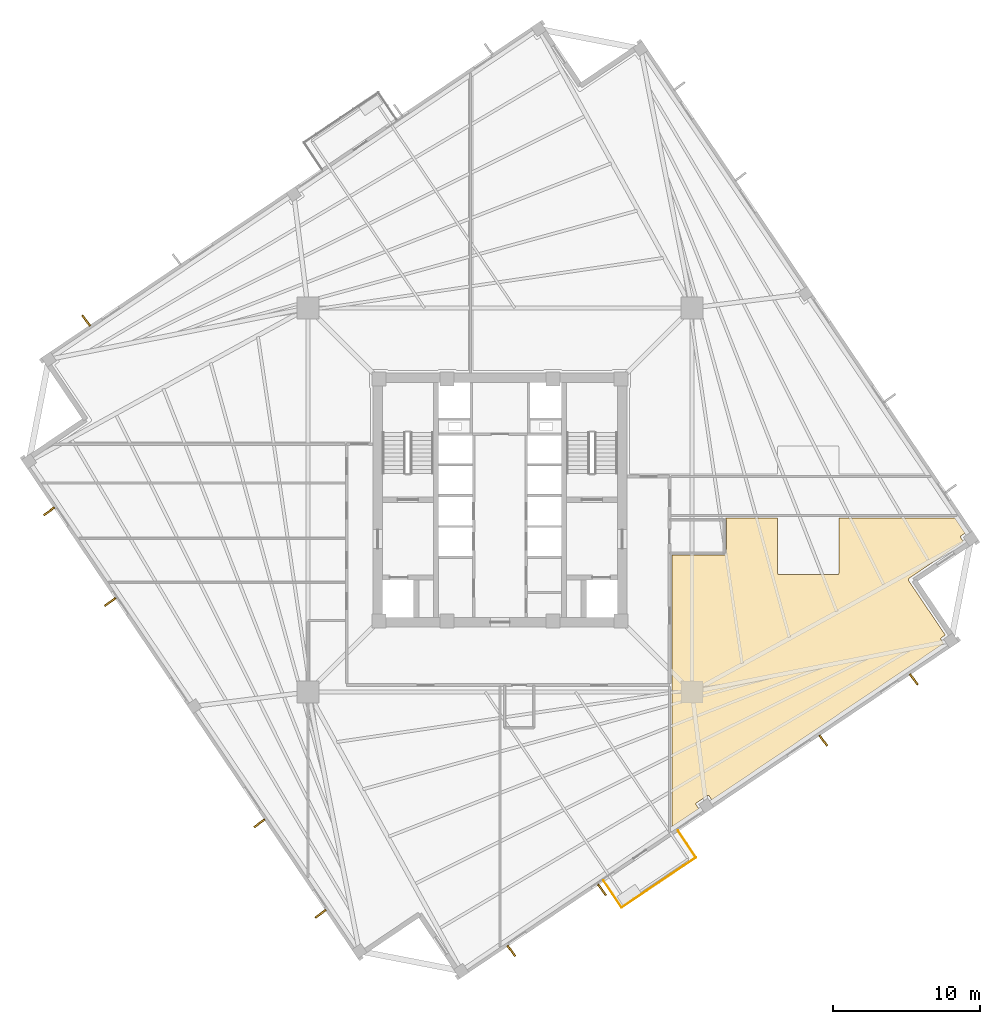
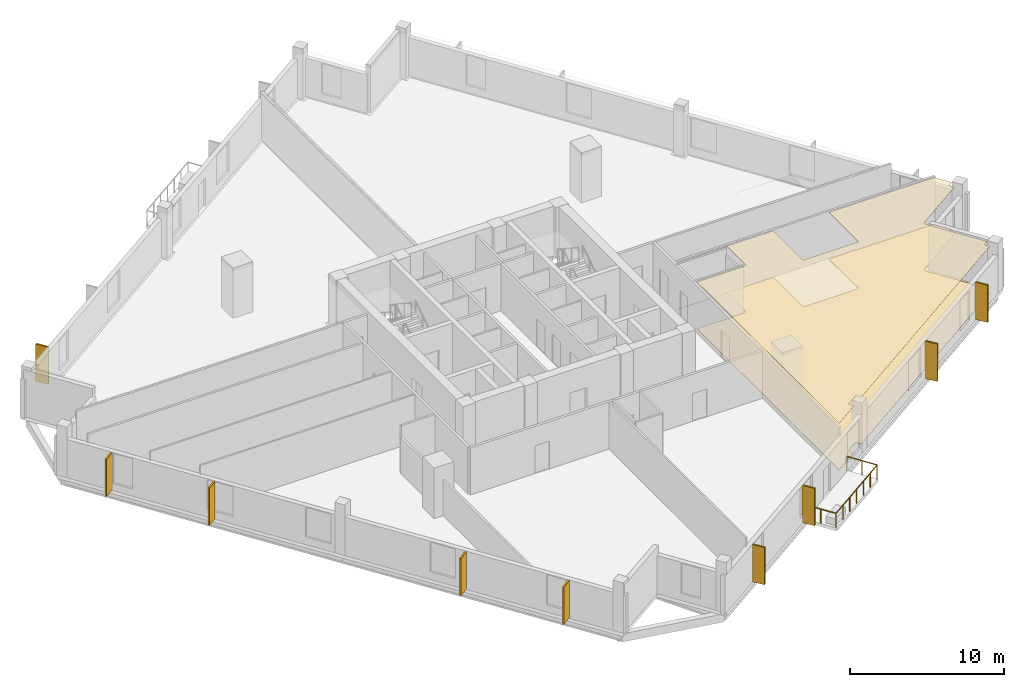
# One storey, part 6 of 8: 11 coverings, 3 railings.
"""IFC4 building model written with IfcOpenShell, lengths in metres."""

from ifc_helpers import new_model, si_unit, direction, frame, origin, origin_2d, place, context, subcontext, project, spatial, polyline, rectangle, circle, outline, extrude, source, transform, mapped, material, layer, layer_set, type_object, element, save


model = new_model("IFC4")

# Units and contexts
model_context = context("Model", 3, precision=1e-05, world=origin(), true_north=direction((0.0, 1.0)))
body_context = subcontext(model_context, "Body", "Model", "MODEL_VIEW")
ifc_project = project(units=[si_unit("LENGTHUNIT", "METRE"), si_unit("AREAUNIT", "SQUARE_METRE"), si_unit("VOLUMEUNIT", "CUBIC_METRE"), si_unit("PLANEANGLEUNIT", "RADIAN"), si_unit("MASSUNIT", "GRAM", prefix="KILO"), si_unit("THERMODYNAMICTEMPERATUREUNIT", "KELVIN")], contexts=[model_context])

# Site, building, storey
site_placement = place(None, origin())
site = spatial("IfcSite", under=ifc_project, at=site_placement, CompositionType="ELEMENT")
building_placement = place(site_placement, origin())
building = spatial("IfcBuilding", under=site, at=building_placement, Name="Kosmvard Interchange Tower", CompositionType="ELEMENT")
storey_placement = place(building_placement, frame((0.0, 0.0, 188.39990234375)))
storey = spatial("IfcBuildingStorey", under=building, at=storey_placement, Name="L45", CompositionType="ELEMENT", Elevation=188.39990234375)

# Coverings
ifc_material_1 = material(Name="Acoustic gypsum ceiling tile")
ifc_layer_1 = layer(ifc_material_1, 0.02490234375, Name="Acoustic gypsum ceiling tile")
ifc_layer_set_1 = layer_set([ifc_layer_1], Name="Acoustic gypsum ceiling tile")
covering_type_1 = type_object("IfcCoveringType", Name="Acoustic Perforated Suspended Ceiling 25", PredefinedType="CEILING", material=ifc_layer_set_1)
covering_1_placement = place(storey_placement, frame((0.0, 0.0, 3.715087890625)))
element("IfcCovering", 1, at=covering_1_placement, inside=storey, type_object=covering_type_1, Name="L45 Acoustic Ceiling L45-OPSE", PredefinedType="CEILING", context=body_context, shape_type="SweptSolid", body=[
    extrude(outline(polyline([(11.705078125, -12.211181640625), (11.7060546875, -12.2158203125), (11.707763671875, -12.2236328125), (11.708740234375, -12.23095703125), (11.70947265625, -12.23876953125), (11.7099609375, -12.24609375), (11.7099609375, -12.25), (11.7099609375, -22.262939453125), (13.5390625, -21.029296875), (13.351806640625, -20.75146484375), (13.34765625, -20.744873046875), (13.34423828125, -20.73779296875), (13.341552734375, -20.73046875), (13.339599609375, -20.72265625), (13.33837890625, -20.715087890625), (13.338134765625, -20.70703125), (13.33837890625, -20.69921875), (13.339599609375, -20.69140625), (13.34130859375, -20.683837890625), (13.343994140625, -20.676513671875), (13.347412109375, -20.66943359375), (13.351318359375, -20.66259765625), (13.35595703125, -20.65625), (13.361328125, -20.650390625), (13.366943359375, -20.645263671875), (13.373291015625, -20.640380859375), (14.127685546875, -20.131591796875), (14.134521484375, -20.12744140625), (14.1416015625, -20.124267578125), (14.14892578125, -20.12158203125), (14.156494140625, -20.11962890625), (14.164306640625, -20.118408203125), (14.172119140625, -20.117919921875), (14.179931640625, -20.1181640625), (14.187744140625, -20.119384765625), (14.1953125, -20.121337890625), (14.202880859375, -20.123779296875), (14.2099609375, -20.127197265625), (14.216552734375, -20.131103515625), (14.222900390625, -20.1357421875), (14.228759765625, -20.14111328125), (14.234130859375, -20.14697265625), (14.23876953125, -20.153076171875), (14.42626953125, -20.430908203125), (30.223388671875, -9.775390625), (30.0361328125, -9.497802734375), (30.031982421875, -9.490966796875), (30.028564453125, -9.48388671875), (30.02587890625, -9.4765625), (30.024169921875, -9.468994140625), (30.02294921875, -9.461181640625), (30.0224609375, -9.453369140625), (30.022705078125, -9.445556640625), (30.02392578125, -9.437744140625), (30.02587890625, -9.43017578125), (30.0283203125, -9.4228515625), (30.03173828125, -9.41552734375), (30.03564453125, -9.408935546875), (30.040283203125, -9.402587890625), (30.045654296875, -9.396728515625), (30.051513671875, -9.391357421875), (30.0576171875, -9.38671875), (30.33544921875, -9.199462890625), (27.858154296875, -5.52685546875), (27.856201171875, -5.5234375), (27.852294921875, -5.51708984375), (27.8486328125, -5.51025390625), (27.845458984375, -5.503662109375), (27.84228515625, -5.496337890625), (27.83984375, -5.489501953125), (27.837646484375, -5.48193359375), (27.835693359375, -5.474853515625), (27.834228515625, -5.467041015625), (27.8330078125, -5.459716796875), (27.832275390625, -5.451904296875), (27.831787109375, -5.444580078125), (27.831787109375, -5.436767578125), (27.83203125, -5.429443359375), (27.832763671875, -5.421630859375), (27.833984375, -5.41455078125), (27.83544921875, -5.40673828125), (27.837158203125, -5.3994140625), (27.83935546875, -5.39208984375), (27.841796875, -5.385009765625), (27.844970703125, -5.377685546875), (27.847900390625, -5.37109375), (27.8515625, -5.3642578125), (27.85546875, -5.35791015625), (27.859619140625, -5.351318359375), (27.864013671875, -5.345458984375), (27.869140625, -5.33935546875), (27.8740234375, -5.333740234375), (27.87939453125, -5.328369140625), (27.884765625, -5.3232421875), (27.890869140625, -5.318115234375), (27.89697265625, -5.313720703125), (27.900146484375, -5.3115234375), (31.57275390625, -2.834228515625), (31.38525390625, -2.556640625), (31.38134765625, -2.5498046875), (31.3779296875, -2.542724609375), (31.375244140625, -2.535400390625), (31.373291015625, -2.52783203125), (31.3720703125, -2.52001953125), (31.37158203125, -2.51220703125), (31.3720703125, -2.50439453125), (31.373046875, -2.49658203125), (31.375, -2.489013671875), (31.377685546875, -2.481689453125), (31.380859375, -2.474365234375), (31.385009765625, -2.4677734375), (31.3896484375, -2.46142578125), (31.394775390625, -2.45556640625), (31.400634765625, -2.4501953125), (31.406982421875, -2.445556640625), (31.6845703125, -2.25830078125), (30.9775390625, -1.2099609375), (23.080078125, -1.2099609375), (23.080078125, -5.0), (23.07958984375, -5.0078125), (23.078369140625, -5.015625), (23.07666015625, -5.023193359375), (23.073974609375, -5.030517578125), (23.070556640625, -5.03759765625), (23.06640625, -5.04443359375), (23.061767578125, -5.05078125), (23.056640625, -5.056640625), (23.05078125, -5.061767578125), (23.04443359375, -5.06640625), (23.03759765625, -5.070556640625), (23.030517578125, -5.073974609375), (23.023193359375, -5.07666015625), (23.015625, -5.078369140625), (23.0078125, -5.07958984375), (23.0, -5.080078125), (19.0, -5.080078125), (18.9921875, -5.07958984375), (18.984375, -5.078369140625), (18.976806640625, -5.07666015625), (18.969482421875, -5.073974609375), (18.96240234375, -5.070556640625), (18.95556640625, -5.06640625), (18.94921875, -5.061767578125), (18.943359375, -5.056640625), (18.938232421875, -5.05078125), (18.93359375, -5.04443359375), (18.929443359375, -5.03759765625), (18.926025390625, -5.030517578125), (18.92333984375, -5.023193359375), (18.921630859375, -5.015625), (18.92041015625, -5.0078125), (18.919921875, -5.0), (18.919921875, -1.2099609375), (11.705078125, -1.2099609375), (11.705078125, -1.213134765625), (15.27001953125, -1.213134765625), (15.27392578125, -1.213134765625), (15.280517578125, -1.21337890625), (15.288330078125, -1.21435546875), (15.294921875, -1.21533203125), (15.302734375, -1.216796875), (15.30908203125, -1.218505859375), (15.316650390625, -1.220703125), (15.322998046875, -1.222900390625), (15.330322265625, -1.22607421875), (15.33642578125, -1.228759765625), (15.34326171875, -1.232421875), (15.348876953125, -1.23583984375), (15.35546875, -1.240234375), (15.36083984375, -1.244140625), (15.366943359375, -1.249267578125), (15.371826171875, -1.253662109375), (15.37744140625, -1.25927734375), (15.3818359375, -1.26416015625), (15.38671875, -1.270263671875), (15.390869140625, -1.275634765625), (15.395263671875, -1.2822265625), (15.398681640625, -1.287841796875), (15.40234375, -1.294921875), (15.405029296875, -1.30078125), (15.408203125, -1.30810546875), (15.410400390625, -1.314453125), (15.41259765625, -1.322021484375), (15.414306640625, -1.328369140625), (15.415771484375, -1.336181640625), (15.416748046875, -1.3427734375), (15.41748046875, -1.350341796875), (15.41796875, -1.357177734375), (15.41796875, -1.361083984375), (15.41796875, -3.611083984375), (15.41796875, -3.614990234375), (15.41748046875, -3.62158203125), (15.416748046875, -3.62939453125), (15.415771484375, -3.635986328125), (15.414306640625, -3.643798828125), (15.41259765625, -3.650146484375), (15.410400390625, -3.65771484375), (15.408203125, -3.6640625), (15.405029296875, -3.67138671875), (15.40234375, -3.67724609375), (15.398681640625, -3.684326171875), (15.395263671875, -3.68994140625), (15.390869140625, -3.696533203125), (15.38671875, -3.701904296875), (15.3818359375, -3.7080078125), (15.37744140625, -3.712890625), (15.371826171875, -3.718505859375), (15.366943359375, -3.722900390625), (15.36083984375, -3.727783203125), (15.35546875, -3.73193359375), (15.348876953125, -3.736328125), (15.34326171875, -3.73974609375), (15.336181640625, -3.743408203125), (15.330322265625, -3.746337890625), (15.322998046875, -3.749267578125), (15.316650390625, -3.75146484375), (15.30908203125, -3.753662109375), (15.302734375, -3.75537109375), (15.294921875, -3.7568359375), (15.288330078125, -3.7578125), (15.280517578125, -3.758544921875), (15.27392578125, -3.759033203125), (15.27001953125, -3.759033203125), (11.705078125, -3.759033203125), (11.705078125, -12.211181640625)])), origin(), (0.0, 0.0, 1.0), 0.02490234375),
])
ifc_material_2 = material(Name="Polished terrazzo flooring")
ifc_layer_2 = layer(ifc_material_2, 0.030029296875, Name="Polished terrazzo flooring")
ifc_layer_set_2 = layer_set([ifc_layer_2], Name="Polished terrazzo flooring")
covering_type_2 = type_object("IfcCoveringType", Name="Heavy-Duty Terrazzo & Porcelain Flooring 30", PredefinedType="FLOORING", material=ifc_layer_set_2)
covering_2_placement = place(storey_placement, origin())
element("IfcCovering", 2, at=covering_2_placement, inside=storey, type_object=covering_type_2, Name="L45 Floor Finish L45-OPSE", PredefinedType="FLOORING", context=body_context, shape_type="SweptSolid", body=[
    extrude(outline(polyline([(11.705078125, -12.211181640625), (11.7060546875, -12.2158203125), (11.707763671875, -12.2236328125), (11.708740234375, -12.23095703125), (11.70947265625, -12.23876953125), (11.7099609375, -12.24609375), (11.7099609375, -12.25), (11.7099609375, -22.262939453125), (13.5390625, -21.029296875), (13.351806640625, -20.75146484375), (13.34765625, -20.744873046875), (13.34423828125, -20.73779296875), (13.341552734375, -20.73046875), (13.339599609375, -20.72265625), (13.33837890625, -20.715087890625), (13.338134765625, -20.70703125), (13.33837890625, -20.69921875), (13.339599609375, -20.69140625), (13.34130859375, -20.683837890625), (13.343994140625, -20.676513671875), (13.347412109375, -20.66943359375), (13.351318359375, -20.66259765625), (13.35595703125, -20.65625), (13.361328125, -20.650390625), (13.366943359375, -20.645263671875), (13.373291015625, -20.640380859375), (14.127685546875, -20.131591796875), (14.134521484375, -20.12744140625), (14.1416015625, -20.124267578125), (14.14892578125, -20.12158203125), (14.156494140625, -20.11962890625), (14.164306640625, -20.118408203125), (14.172119140625, -20.117919921875), (14.179931640625, -20.1181640625), (14.187744140625, -20.119384765625), (14.1953125, -20.121337890625), (14.202880859375, -20.123779296875), (14.2099609375, -20.127197265625), (14.216552734375, -20.131103515625), (14.222900390625, -20.1357421875), (14.228759765625, -20.14111328125), (14.234130859375, -20.14697265625), (14.23876953125, -20.153076171875), (14.42626953125, -20.430908203125), (30.223388671875, -9.775390625), (30.0361328125, -9.497802734375), (30.031982421875, -9.490966796875), (30.028564453125, -9.48388671875), (30.02587890625, -9.4765625), (30.024169921875, -9.468994140625), (30.02294921875, -9.461181640625), (30.0224609375, -9.453369140625), (30.022705078125, -9.445556640625), (30.02392578125, -9.437744140625), (30.02587890625, -9.43017578125), (30.0283203125, -9.4228515625), (30.03173828125, -9.41552734375), (30.03564453125, -9.408935546875), (30.040283203125, -9.402587890625), (30.045654296875, -9.396728515625), (30.051513671875, -9.391357421875), (30.0576171875, -9.38671875), (30.33544921875, -9.199462890625), (27.858154296875, -5.52685546875), (27.856201171875, -5.5234375), (27.852294921875, -5.51708984375), (27.8486328125, -5.51025390625), (27.845458984375, -5.503662109375), (27.84228515625, -5.496337890625), (27.83984375, -5.489501953125), (27.837646484375, -5.48193359375), (27.835693359375, -5.474853515625), (27.834228515625, -5.467041015625), (27.8330078125, -5.459716796875), (27.832275390625, -5.451904296875), (27.831787109375, -5.444580078125), (27.831787109375, -5.436767578125), (27.83203125, -5.429443359375), (27.832763671875, -5.421630859375), (27.833984375, -5.41455078125), (27.83544921875, -5.40673828125), (27.837158203125, -5.3994140625), (27.83935546875, -5.39208984375), (27.841796875, -5.385009765625), (27.844970703125, -5.377685546875), (27.847900390625, -5.37109375), (27.8515625, -5.3642578125), (27.85546875, -5.35791015625), (27.859619140625, -5.351318359375), (27.864013671875, -5.345458984375), (27.869140625, -5.33935546875), (27.8740234375, -5.333740234375), (27.87939453125, -5.328369140625), (27.884765625, -5.3232421875), (27.890869140625, -5.318115234375), (27.89697265625, -5.313720703125), (27.900146484375, -5.3115234375), (31.57275390625, -2.834228515625), (31.38525390625, -2.556640625), (31.38134765625, -2.5498046875), (31.3779296875, -2.542724609375), (31.375244140625, -2.535400390625), (31.373291015625, -2.52783203125), (31.3720703125, -2.52001953125), (31.37158203125, -2.51220703125), (31.3720703125, -2.50439453125), (31.373046875, -2.49658203125), (31.375, -2.489013671875), (31.377685546875, -2.481689453125), (31.380859375, -2.474365234375), (31.385009765625, -2.4677734375), (31.3896484375, -2.46142578125), (31.394775390625, -2.45556640625), (31.400634765625, -2.4501953125), (31.406982421875, -2.445556640625), (31.6845703125, -2.25830078125), (30.9775390625, -1.2099609375), (23.080078125, -1.2099609375), (23.080078125, -5.0), (23.07958984375, -5.0078125), (23.078369140625, -5.015625), (23.07666015625, -5.023193359375), (23.073974609375, -5.030517578125), (23.070556640625, -5.03759765625), (23.06640625, -5.04443359375), (23.061767578125, -5.05078125), (23.056640625, -5.056640625), (23.05078125, -5.061767578125), (23.04443359375, -5.06640625), (23.03759765625, -5.070556640625), (23.030517578125, -5.073974609375), (23.023193359375, -5.07666015625), (23.015625, -5.078369140625), (23.0078125, -5.07958984375), (23.0, -5.080078125), (19.0, -5.080078125), (18.9921875, -5.07958984375), (18.984375, -5.078369140625), (18.976806640625, -5.07666015625), (18.969482421875, -5.073974609375), (18.96240234375, -5.070556640625), (18.95556640625, -5.06640625), (18.94921875, -5.061767578125), (18.943359375, -5.056640625), (18.938232421875, -5.05078125), (18.93359375, -5.04443359375), (18.929443359375, -5.03759765625), (18.926025390625, -5.030517578125), (18.92333984375, -5.023193359375), (18.921630859375, -5.015625), (18.92041015625, -5.0078125), (18.919921875, -5.0), (18.919921875, -1.2099609375), (11.705078125, -1.2099609375), (11.705078125, -1.213134765625), (15.27001953125, -1.213134765625), (15.27392578125, -1.213134765625), (15.280517578125, -1.21337890625), (15.288330078125, -1.21435546875), (15.294921875, -1.21533203125), (15.302734375, -1.216796875), (15.30908203125, -1.218505859375), (15.316650390625, -1.220703125), (15.322998046875, -1.222900390625), (15.330322265625, -1.22607421875), (15.33642578125, -1.228759765625), (15.34326171875, -1.232421875), (15.348876953125, -1.23583984375), (15.35546875, -1.240234375), (15.36083984375, -1.244140625), (15.366943359375, -1.249267578125), (15.371826171875, -1.253662109375), (15.37744140625, -1.25927734375), (15.3818359375, -1.26416015625), (15.38671875, -1.270263671875), (15.390869140625, -1.275634765625), (15.395263671875, -1.2822265625), (15.398681640625, -1.287841796875), (15.40234375, -1.294921875), (15.405029296875, -1.30078125), (15.408203125, -1.30810546875), (15.410400390625, -1.314453125), (15.41259765625, -1.322021484375), (15.414306640625, -1.328369140625), (15.415771484375, -1.336181640625), (15.416748046875, -1.3427734375), (15.41748046875, -1.350341796875), (15.41796875, -1.357177734375), (15.41796875, -1.361083984375), (15.41796875, -3.611083984375), (15.41796875, -3.614990234375), (15.41748046875, -3.62158203125), (15.416748046875, -3.62939453125), (15.415771484375, -3.635986328125), (15.414306640625, -3.643798828125), (15.41259765625, -3.650146484375), (15.410400390625, -3.65771484375), (15.408203125, -3.6640625), (15.405029296875, -3.67138671875), (15.40234375, -3.67724609375), (15.398681640625, -3.684326171875), (15.395263671875, -3.68994140625), (15.390869140625, -3.696533203125), (15.38671875, -3.701904296875), (15.3818359375, -3.7080078125), (15.37744140625, -3.712890625), (15.371826171875, -3.718505859375), (15.366943359375, -3.722900390625), (15.36083984375, -3.727783203125), (15.35546875, -3.73193359375), (15.348876953125, -3.736328125), (15.34326171875, -3.73974609375), (15.336181640625, -3.743408203125), (15.330322265625, -3.746337890625), (15.322998046875, -3.749267578125), (15.316650390625, -3.75146484375), (15.30908203125, -3.753662109375), (15.302734375, -3.75537109375), (15.294921875, -3.7568359375), (15.288330078125, -3.7578125), (15.280517578125, -3.758544921875), (15.27392578125, -3.759033203125), (15.27001953125, -3.759033203125), (11.705078125, -3.759033203125), (11.705078125, -12.211181640625)])), origin(), (0.0, 0.0, 1.0), 0.030029296875),
])
ifc_material_3 = material(Name="Architectural anodised aluminium", Category="aluminium")
ifc_layer_3 = layer(ifc_material_3, 0.1201171875, Name="Architectural anodised aluminium")
ifc_layer_set_3 = layer_set([ifc_layer_3], Name="Architectural anodised aluminium")
covering_type_3 = type_object("IfcCoveringType", Name="Rotating Vertical Sun-Breaker Fin 900x120 Aluminium", PredefinedType="CLADDING", material=ifc_layer_set_3)
shared_shape_1 = source(origin(), body_context, "Body", "SweptSolid", [
    extrude(rectangle(XDim=0.89990234375, YDim=0.1201171875, at=origin_2d()), origin(), (0.0, 0.0, 1.0), 2.9599609375),
])
for number, where, z_axis, x_axis, name in (
    (3, (0.774169921875, -30.718994140625, 0.0400390625), (0.0, 0.0, 1.0), (0.588208772008, -0.808709119852, 0.0), "L45 Rotating Vertical Sun-Breaker Fin 01"),
    (4, (6.943115234375, -26.557861328125, 0.0400390625), (0.0, 0.0, 1.0), (0.588208772008, -0.808709119852, 0.0), "L45 Rotating Vertical Sun-Breaker Fin 02"),
    (5, (22.02294921875, -16.38623046875, 0.0400390625), (0.0, 0.0, 1.0), (0.588208772008, -0.808709119852, 0.0), "L45 Rotating Vertical Sun-Breaker Fin 03"),
    (6, (28.192138671875, -12.225341796875, 0.0400390625), (0.0, 0.0, 1.0), (0.588208772008, -0.808709119852, 0.0), "L45 Rotating Vertical Sun-Breaker Fin 04"),
    (7, (-28.192138671875, 12.225341796875, 0.0400390625), (0.0, 0.0, 1.0), (-0.588208772008, 0.808709119852, 0.0), "L45 Rotating Vertical Sun-Breaker Fin 12"),
    (8, (-30.718994140625, -0.774169921875, 0.0400390625), (0.0, 0.0, 1.0), (-0.808709119852, -0.588208772008, 0.0), "L45 Rotating Vertical Sun-Breaker Fin 13"),
    (9, (-26.557861328125, -6.943115234375, 0.0400390625), (0.0, 0.0, 1.0), (-0.808709119852, -0.588208772008, 0.0), "L45 Rotating Vertical Sun-Breaker Fin 14"),
    (10, (-16.38623046875, -22.02294921875, 0.0400390625), (0.0, 0.0, 1.0), (-0.808709119852, -0.588208772008, 0.0), "L45 Rotating Vertical Sun-Breaker Fin 15"),
    (11, (-12.225341796875, -28.192138671875, 0.0400390625), (0.0, 0.0, 1.0), (-0.808709119852, -0.588208772008, 0.0), "L45 Rotating Vertical Sun-Breaker Fin 16"),
):
    element("IfcCovering", number, at=place(storey_placement, frame(where, z_axis=z_axis, x_axis=x_axis)), inside=storey, type_object=covering_type_3, Name=name, PredefinedType="CLADDING", context=body_context, shape_type="MappedRepresentation", body=[
        mapped(shared_shape_1, transform((0.0, 0.0, 0.0), scale=1.0)),
    ])

# Railings
ifc_material_4 = material(Name="Steel S355", Category="steel")
railing_type = type_object("IfcRailingType", Name="Observation & Balcony Glass-Infill Balustrade 1150", PredefinedType="BALUSTRADE", material=ifc_material_4)
shared_shape_2 = source(origin(), body_context, "Body", "SweptSolid", [
    extrude(circle(Radius=0.02392578125, at=origin_2d()), frame((0.0, 0.0, 1.1259765625), z_axis=(0.559173597279, -0.829050594418, 0.0), x_axis=(0.829050594418, 0.559173597279, 0.0)), (0.0, 0.0, 1.0), 2.2001953125),
    extrude(circle(Radius=0.02099609375, at=origin_2d()), origin(), (0.0, 0.0, 1.0), 1.101806640625),
    extrude(circle(Radius=0.02099609375, at=origin_2d()), frame((0.615234375, -0.912109375, 0.0)), (0.0, 0.0, 1.0), 1.101806640625),
    extrude(circle(Radius=0.02099609375, at=origin_2d()), frame((1.230224609375, -1.823974609375, 0.0)), (0.0, 0.0, 1.0), 1.101806640625),
])
railing_1_placement = place(storey_placement, frame((7.060302734375, -25.93603515625, 0.0)))
element("IfcRailing", 12, at=railing_1_placement, inside=storey, type_object=railing_type, Name="L45 Outdoor Terrace Guard BAL-L45-S-A", PredefinedType="BALUSTRADE", context=body_context, shape_type="MappedRepresentation", body=[
    mapped(shared_shape_2, transform((0.0, 0.0, 0.0), scale=1.0)),
])
shared_shape_3 = source(origin(), body_context, "Body", "SweptSolid", [
    extrude(circle(Radius=0.02392578125, at=origin_2d()), frame((0.0, 0.0, 1.1259765625), z_axis=(0.829033294248, 0.55919924627, 0.0), x_axis=(-0.55919924627, 0.829033294248, 0.0)), (0.0, 0.0, 1.0), 6.10009765625),
    extrude(circle(Radius=0.02099609375, at=origin_2d()), origin(), (0.0, 0.0, 1.0), 1.101806640625),
    extrude(circle(Radius=0.02099609375, at=origin_2d()), frame((0.8427734375, 0.568603515625, 0.0)), (0.0, 0.0, 1.0), 1.101806640625),
    extrude(circle(Radius=0.02099609375, at=origin_2d()), frame((1.685791015625, 1.136962890625, 0.0)), (0.0, 0.0, 1.0), 1.101806640625),
    extrude(circle(Radius=0.02099609375, at=origin_2d()), frame((2.528564453125, 1.70556640625, 0.0)), (0.0, 0.0, 1.0), 1.101806640625),
    extrude(circle(Radius=0.02099609375, at=origin_2d()), frame((3.371337890625, 2.274169921875, 0.0)), (0.0, 0.0, 1.0), 1.101806640625),
    extrude(circle(Radius=0.02099609375, at=origin_2d()), frame((4.21435546875, 2.842529296875, 0.0)), (0.0, 0.0, 1.0), 1.101806640625),
    extrude(circle(Radius=0.02099609375, at=origin_2d()), frame((5.05712890625, 3.4111328125, 0.0)), (0.0, 0.0, 1.0), 1.101806640625),
])
railing_2_placement = place(storey_placement, frame((8.29052734375, -27.760009765625, 0.0)))
element("IfcRailing", 13, at=railing_2_placement, inside=storey, type_object=railing_type, Name="L45 Outdoor Terrace Guard BAL-L45-S-B", PredefinedType="BALUSTRADE", context=body_context, shape_type="MappedRepresentation", body=[
    mapped(shared_shape_3, transform((0.0, 0.0, 0.0), scale=1.0)),
])
shared_shape_4 = source(origin(), body_context, "Body", "SweptSolid", [
    extrude(circle(Radius=0.02392578125, at=origin_2d()), frame((0.0, 0.0, 1.1259765625), z_axis=(-0.559173597279, 0.829050594418, 0.0), x_axis=(-0.829050594418, -0.559173597279, 0.0)), (0.0, 0.0, 1.0), 2.2001953125),
    extrude(circle(Radius=0.02099609375, at=origin_2d()), origin(), (0.0, 0.0, 1.0), 1.101806640625),
    extrude(circle(Radius=0.02099609375, at=origin_2d()), frame((-0.615234375, 0.912109375, 0.0)), (0.0, 0.0, 1.0), 1.101806640625),
    extrude(circle(Radius=0.02099609375, at=origin_2d()), frame((-1.230224609375, 1.823974609375, 0.0)), (0.0, 0.0, 1.0), 1.101806640625),
])
railing_3_placement = place(storey_placement, frame((13.34765625, -24.348876953125, 0.0)))
element("IfcRailing", 14, at=railing_3_placement, inside=storey, type_object=railing_type, Name="L45 Outdoor Terrace Guard BAL-L45-S-C", PredefinedType="BALUSTRADE", context=body_context, shape_type="MappedRepresentation", body=[
    mapped(shared_shape_4, transform((0.0, 0.0, 0.0), scale=1.0)),
])

save(model, "model.ifc")
